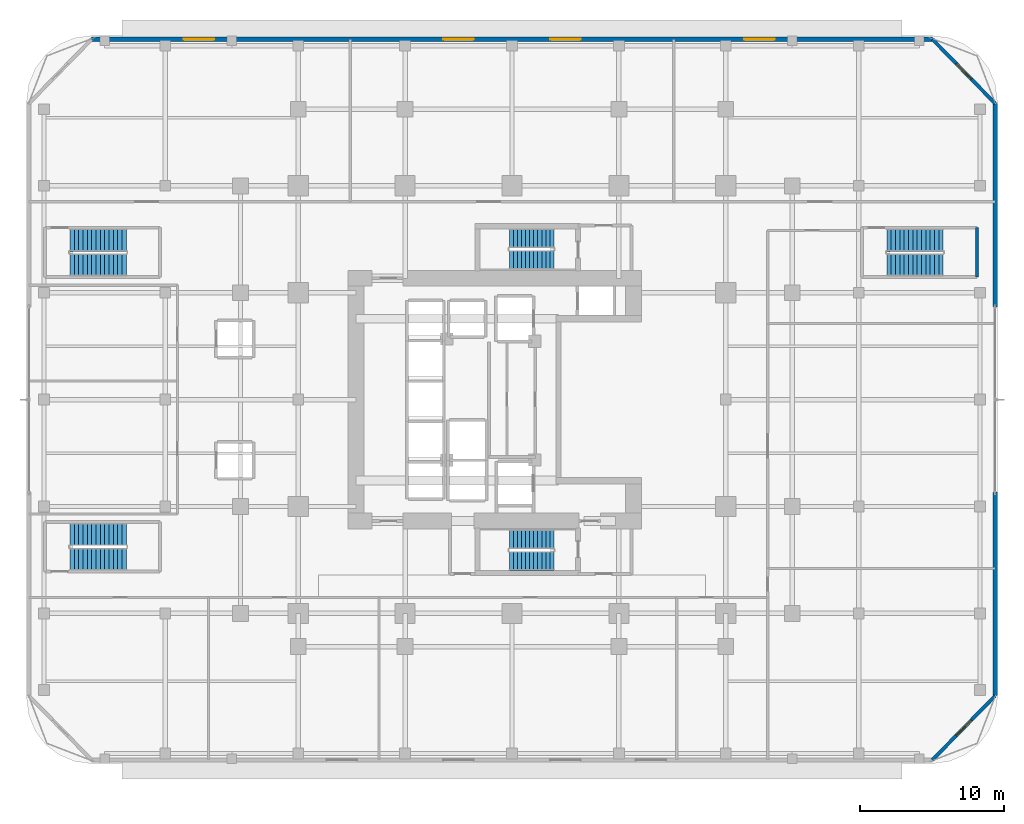
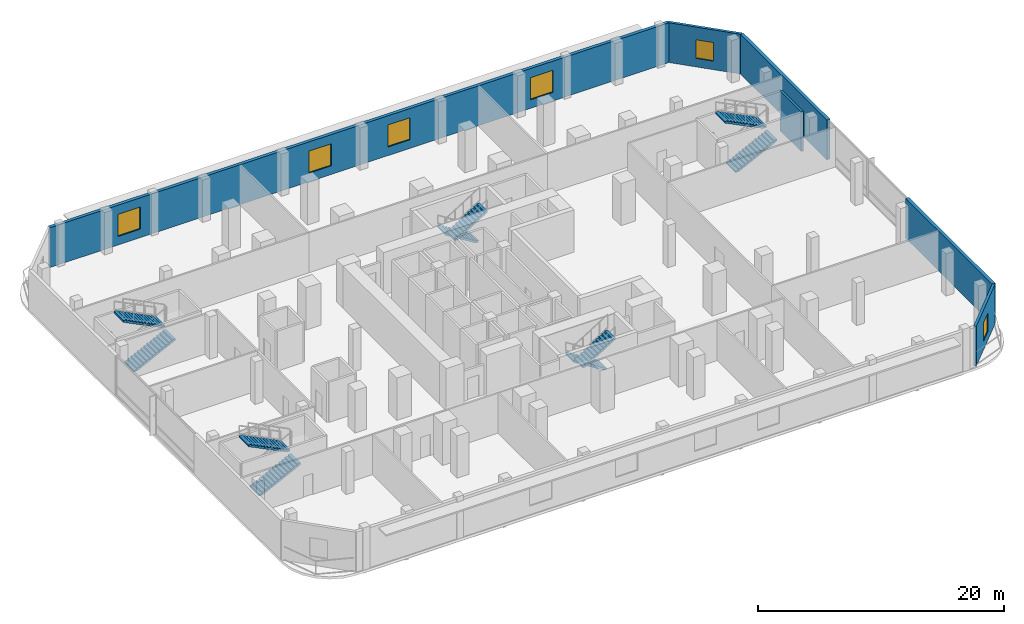
# One storey, part 11 of 19: 10 stair flights, 6 walls, 6 windows, 6 openings, 5 elements without a shape of their own.
"""IFC4 building model written with IfcOpenShell, lengths in metres."""

import ifcopenshell
import ifcopenshell.guid

model = None  # the IFC model being written
_history = None  # IfcOwnerHistory: only IFC2X3 demands one
_inside = {}  # id of a spatial element -> (the spatial element, [elements in it])
_under = {}  # id of a project, library or spatial element -> (it, [spatial elements below it])
_declared = {}  # id of a project -> (the project, [libraries it declares])
_typed = {}  # id of a type object -> (the type object, [elements of that type])
_made_of = {}  # id of a material, layer set ... -> (it, [elements and type objects made of it])


def new_model(schema):
    """Start an empty IFC model of exactly this schema.

    Asked for "IFC4X3", IfcOpenShell would pick the latest addendum, in which some entities
    have other attributes; the version numbers below select the first issue.
    IFC2X3 requires an IfcOwnerHistory on every rooted entity: one is made here for all.
    """
    global model, _history
    if schema == "IFC4X3":
        model = ifcopenshell.file(schema_version=(4, 3, 0, 0))
    else:
        model = ifcopenshell.file(schema=schema)
    _inside.clear()
    _under.clear()
    _declared.clear()
    _typed.clear()
    _made_of.clear()
    _history = None
    if model.schema == "IFC2X3":
        org = make("IfcOrganization", Name="unknown")
        user = make(
            "IfcPersonAndOrganization",
            ThePerson=make("IfcPerson", FamilyName="unknown"),
            TheOrganization=org,
        )
        app = make(
            "IfcApplication",
            ApplicationDeveloper=org,
            Version="unknown",
            ApplicationFullName="unknown",
            ApplicationIdentifier="unknown",
        )
        _history = make(
            "IfcOwnerHistory",
            OwningUser=user,
            OwningApplication=app,
            ChangeAction="ADDED",
            CreationDate=0,
        )
    return model


def make(cls, **values):
    """One entity of the class cls with the attributes given. An attribute that is None is left unset."""
    return model.create_entity(
        cls, **{name: value for name, value in values.items() if value is not None}
    )


def rooted(cls, **values):
    """An entity with a GlobalId (a new one), such as an element, a storey or a relation."""
    return make(cls, GlobalId=ifcopenshell.guid.new(), OwnerHistory=_history, **values)


def si_unit(unit_type, name, prefix=None):
    """IfcSIUnit, for example si_unit("LENGTHUNIT", "METRE", prefix="MILLI")."""
    return make("IfcSIUnit", UnitType=unit_type, Prefix=prefix, Name=name)


def assignment(units):
    """IfcUnitAssignment: the units of a project."""
    return None if units is None else make("IfcUnitAssignment", Units=units)


def point(xyz):
    """IfcCartesianPoint."""
    return None if xyz is None else make("IfcCartesianPoint", Coordinates=xyz)


def direction(xyz):
    """IfcDirection."""
    return None if xyz is None else make("IfcDirection", DirectionRatios=xyz)


def frame(location, z_axis=None, x_axis=None):
    """IfcAxis2Placement3D, a coordinate frame: its origin and axes. An axis left out is left unset."""
    return make(
        "IfcAxis2Placement3D",
        Location=point(location),
        Axis=direction(z_axis),
        RefDirection=direction(x_axis),
    )


def frame_2d(location, x_axis=None):
    """IfcAxis2Placement2D, a coordinate frame in the plane: its origin and x axis."""
    return make(
        "IfcAxis2Placement2D", Location=point(location), RefDirection=direction(x_axis)
    )


def origin():
    """The frame at (0, 0, 0) with its axes left unset."""
    return frame((0.0, 0.0, 0.0))


def place(relative_to, where):
    """IfcLocalPlacement: puts the frame where relative to a parent placement (None: the world)."""
    return make(
        "IfcLocalPlacement", PlacementRelTo=relative_to, RelativePlacement=where
    )


def context(
    kind, dimensions, precision=None, world=None, true_north=None, identifier=None
):
    """IfcGeometricRepresentationContext, for example the 3D "Model" context."""
    return make(
        "IfcGeometricRepresentationContext",
        ContextIdentifier=identifier,
        ContextType=kind,
        CoordinateSpaceDimension=dimensions,
        Precision=precision,
        WorldCoordinateSystem=world,
        TrueNorth=true_north,
    )


def subcontext(parent, identifier, kind, view, scale=None):
    """IfcGeometricRepresentationSubContext, for example "Body" below "Model"."""
    return make(
        "IfcGeometricRepresentationSubContext",
        ContextIdentifier=identifier,
        ContextType=kind,
        ParentContext=parent,
        TargetScale=scale,
        TargetView=view,
    )


def project(units=None, contexts=None):
    """IfcProject with its units and contexts."""
    return rooted(
        "IfcProject",
        Name="project",
        RepresentationContexts=contexts,
        UnitsInContext=assignment(units),
    )


def spatial(cls, under=None, at=None, **own):
    """A site, building, storey or space (cls), placed at a placement, below another one or the project."""
    s = rooted(cls, ObjectPlacement=at, **own)
    if under is not None:
        _under.setdefault(under.id(), (under, []))[1].append(s)
    return s


def polyline(points):
    """IfcPolyline through the points."""
    return make("IfcPolyline", Points=[point(p) for p in points])


def profile(cls, at=None, kind="AREA", **sizes):
    """A parametric profile (cls). Its sizes go by their IFC names, for example OverallWidth=200.0."""
    return make(cls, ProfileType=kind, Position=at, **sizes)


def rectangle(**sizes):
    """IfcRectangleProfileDef."""
    return profile("IfcRectangleProfileDef", **sizes)


def outline(outer, holes=None, kind="AREA"):
    """IfcArbitraryClosedProfileDef: a profile drawn as a closed curve; with holes, ...WithVoids."""
    if holes is None:
        return make("IfcArbitraryClosedProfileDef", ProfileType=kind, OuterCurve=outer)
    return make(
        "IfcArbitraryProfileDefWithVoids",
        ProfileType=kind,
        OuterCurve=outer,
        InnerCurves=holes,
    )


def extrude(swept, where, along, depth):
    """IfcExtrudedAreaSolid: the profile swept, set in the frame where, extruded along a direction by depth."""
    return make(
        "IfcExtrudedAreaSolid",
        SweptArea=swept,
        Position=where,
        ExtrudedDirection=direction(along),
        Depth=depth,
    )


def shape(context_of_items, identifier, shape_type, items):
    """IfcShapeRepresentation: the items that make up one representation, for example the "Body"."""
    return make(
        "IfcShapeRepresentation",
        ContextOfItems=context_of_items,
        RepresentationIdentifier=identifier,
        RepresentationType=shape_type,
        Items=items,
    )


def material(Name=None, Category=None):
    """IfcMaterial."""
    return make("IfcMaterial", Name=Name, Category=Category)


def layer(
    of_material, thickness, ventilated=None, Name=None, Category=None, Priority=None
):
    """IfcMaterialLayer: one layer of a wall or slab, of a material (None: an air gap)."""
    return make(
        "IfcMaterialLayer",
        Material=of_material,
        LayerThickness=thickness,
        IsVentilated=ventilated,
        Name=Name,
        Category=Category,
        Priority=Priority,
    )


def layer_set(layers, Name=None):
    """IfcMaterialLayerSet."""
    return make("IfcMaterialLayerSet", MaterialLayers=layers, LayerSetName=Name)


def made_of(thing, what):
    """Note that an element or type object is made of a material, layer set ...; save() writes the relation."""
    if what is not None:
        _made_of.setdefault(what.id(), (what, []))[1].append(thing)
    return thing


def type_object(cls, material=None, **own):
    """A type object (cls), such as IfcWallType, which elements share."""
    return made_of(rooted(cls, **own), material)


def element(
    cls,
    number,
    at=None,
    inside=None,
    cuts=None,
    type_object=None,
    material=None,
    context=None,
    identifier="Body",
    shape_type=None,
    held_by="IfcProductDefinitionShape",
    body=None,
    shapes=None,
    **own,
):
    """One element of the class cls, such as IfcWall. Its Tag is "e" and its number.

    at: its placement. inside: the storey or other place that contains it. cuts: it is an
    opening in that element (IfcRelVoidsElement). A single representation is given by context,
    identifier, shape_type and body (its items); several are given by shapes. held_by: the class
    of the entity that holds the representations. save() writes the other relations.
    """
    e = rooted(cls, Tag="e%d" % number, ObjectPlacement=at, **own)
    if body is not None:
        shapes = [shape(context, identifier, shape_type, body)]
    if shapes is not None:
        e.Representation = make(held_by, Representations=shapes)
    if inside is not None:
        _inside.setdefault(inside.id(), (inside, []))[1].append(e)
    if cuts is not None:
        rooted(
            "IfcRelVoidsElement", RelatingBuildingElement=cuts, RelatedOpeningElement=e
        )
    if type_object is not None:
        _typed.setdefault(type_object.id(), (type_object, []))[1].append(e)
    return made_of(e, material)


def fill(opening, filler):
    """IfcRelFillsElement: the door or window that sits in an opening."""
    return rooted(
        "IfcRelFillsElement",
        RelatingOpeningElement=opening,
        RelatedBuildingElement=filler,
    )


def aggregate(whole, parts):
    """IfcRelAggregates: a whole, such as a stair, and the parts it consists of."""
    return rooted("IfcRelAggregates", RelatingObject=whole, RelatedObjects=parts)


def save(model, path):
    """Write the relations noted so far, then the file.

    IfcRelAggregates (storeys below a building ...), IfcRelContainedInSpatialStructure (elements
    in a storey), IfcRelDefinesByType, IfcRelAssociatesMaterial and IfcRelDeclares: one each for
    every whole, place, type object, material and project.
    """
    for whole, parts in _under.values():
        aggregate(whole, parts)
    for where, things in _inside.values():
        rooted(
            "IfcRelContainedInSpatialStructure",
            RelatedElements=things,
            RelatingStructure=where,
        )
    for kind, things in _typed.values():
        rooted("IfcRelDefinesByType", RelatedObjects=things, RelatingType=kind)
    for what, things in _made_of.values():
        rooted("IfcRelAssociatesMaterial", RelatedObjects=things, RelatingMaterial=what)
    for by, libraries in _declared.values():
        rooted("IfcRelDeclares", RelatingContext=by, RelatedDefinitions=libraries)
    model.write(path)


model = new_model("IFC4")

# Units and contexts
model_context = context("Model", 3, precision=1e-05, world=origin(), true_north=direction((0.0, 1.0)))
body_context = subcontext(model_context, "Body", "Model", "MODEL_VIEW")
ifc_project = project(units=[si_unit("LENGTHUNIT", "METRE"), si_unit("AREAUNIT", "SQUARE_METRE"), si_unit("VOLUMEUNIT", "CUBIC_METRE"), si_unit("PLANEANGLEUNIT", "RADIAN"), si_unit("MASSUNIT", "GRAM", prefix="KILO")], contexts=[model_context])

# Site, building, storey
site_placement = place(None, origin())
site = spatial("IfcSite", under=ifc_project, at=site_placement, CompositionType="ELEMENT")
building_placement = place(site_placement, origin())
building = spatial("IfcBuilding", under=site, at=building_placement, Name="Khorvyn Point Tower", CompositionType="ELEMENT")
storey_placement = place(building_placement, frame((0.0, 0.0, 17.39990234375)))
storey = spatial("IfcBuildingStorey", under=building, at=storey_placement, Name="L05", CompositionType="ELEMENT", Elevation=17.39990234375)

# Wall, opening, window
ifc_material_1 = material(Name="Pale anodised aluminium rainscreen on steel stud", Category="steel")
ifc_layer_1 = layer(ifc_material_1, 0.239990234375)
ifc_layer_set_1 = layer_set([ifc_layer_1], Name="Anodised Aluminium Insulated Corner Spandrel Wall 240")
wall_type_1 = type_object("IfcWallType", Name="Anodised Aluminium Insulated Corner Spandrel Wall 240", PredefinedType="SOLIDWALL", material=ifc_layer_set_1)
wall_1_placement = place(storey_placement, frame((29.10009765625, 24.949951171875, 0.0), z_axis=(0.0, 0.0, 1.0), x_axis=(0.69901822973, -0.715103848756, 0.0)))
wall_1 = element("IfcWall", 1, at=wall_1_placement, inside=storey, type_object=wall_type_1, Name="L05 Rounded Corner Wall NE", PredefinedType="SOLIDWALL", context=body_context, shape_type="SweptSolid", body=[
    extrude(rectangle(XDim=6.222900390625, YDim=0.239990234375, at=frame_2d((3.111328125, 0.0))), origin(), (0.0, 0.0, 1.0), 3.960205078125),
])
opening_1_placement = place(wall_1_placement, frame((2.361572265625, 0.0, 0.85009765625)))
opening_1 = element("IfcOpeningElement", 2, at=opening_1_placement, cuts=wall_1, Name="Opening WN-1518", PredefinedType="OPENING", context=body_context, shape_type="SweptSolid", body=[
    extrude(rectangle(XDim=1.5, YDim=1.85009765625, at=frame_2d((0.75, 0.925048828125))), frame((0.0, 0.1298828125, 0.0), z_axis=(0.0, -1.0, 0.0), x_axis=(1.0, 0.0, 0.0)), (0.0, 0.0, 1.0), 0.260009765625),
])
ifc_material_2 = material(Name="Anodised aluminium 6063-T6 and laminated Low-E glass", Category="aluminium")
window_type_1 = type_object("IfcWindowType", Name="Anodised Aluminium Rounded-Corner Panoramic Window 1500x1850", PartitioningType="SINGLE_PANEL", PredefinedType="WINDOW", material=ifc_material_2)
window_1_placement = place(opening_1_placement, origin())
window_1 = element("IfcWindow", 3, at=window_1_placement, inside=storey, type_object=window_type_1, Name="L05 Corner Window NE", OverallHeight=1.85009765625, OverallWidth=1.5, PartitioningType="SINGLE_PANEL", PredefinedType="WINDOW", context=body_context, shape_type="SweptSolid", body=[
    extrude(rectangle(XDim=1.5, YDim=1.85009765625, at=frame_2d((0.75, 0.925048828125))), frame((0.0, 0.030029296875, 0.0), z_axis=(0.0, -1.0, 0.0), x_axis=(1.0, 0.0, 0.0)), (0.0, 0.0, 1.0), 0.06005859375),
])
fill(opening_1, window_1)

wall_2_placement = place(storey_placement, frame((33.449951171875, -20.5, 0.0), z_axis=(0.0, 0.0, 1.0), x_axis=(-0.69901822973, -0.715103848756, 0.0)))
wall_2 = element("IfcWall", 4, at=wall_2_placement, inside=storey, type_object=wall_type_1, Name="L05 Rounded Corner Wall SE", PredefinedType="SOLIDWALL", context=body_context, shape_type="SweptSolid", body=[
    extrude(rectangle(XDim=6.222900390625, YDim=0.239990234375, at=frame_2d((3.111328125, 0.0))), origin(), (0.0, 0.0, 1.0), 3.960205078125),
])
opening_2_placement = place(wall_2_placement, frame((2.361572265625, 0.0, 0.85009765625)))
opening_2 = element("IfcOpeningElement", 5, at=opening_2_placement, cuts=wall_2, Name="Opening WN-1518", PredefinedType="OPENING", context=body_context, shape_type="SweptSolid", body=[
    extrude(rectangle(XDim=1.5, YDim=1.85009765625, at=frame_2d((0.75, 0.925048828125))), frame((0.0, 0.1298828125, 0.0), z_axis=(0.0, -1.0, 0.0), x_axis=(1.0, 0.0, 0.0)), (0.0, 0.0, 1.0), 0.260009765625),
])
window_2_placement = place(opening_2_placement, origin())
window_2 = element("IfcWindow", 6, at=window_2_placement, inside=storey, type_object=window_type_1, Name="L05 Corner Window SE", OverallHeight=1.85009765625, OverallWidth=1.5, PartitioningType="SINGLE_PANEL", PredefinedType="WINDOW", context=body_context, shape_type="SweptSolid", body=[
    extrude(rectangle(XDim=1.5, YDim=1.85009765625, at=frame_2d((0.75, 0.925048828125))), frame((0.0, 0.030029296875, 0.0), z_axis=(0.0, -1.0, 0.0), x_axis=(1.0, 0.0, 0.0)), (0.0, 0.0, 1.0), 0.06005859375),
])
fill(opening_2, window_2)

# Wall
ifc_material_3 = material(Name="Concrete C40/50", Category="concrete")
ifc_layer_2 = layer(ifc_material_3, 0.199951171875)
ifc_layer_set_2 = layer_set([ifc_layer_2], Name="Concrete C40/50 Structural Hoistway and Stair Shaft Wall 200")
wall_type_2 = type_object("IfcWallType", Name="Concrete C40/50 Structural Hoistway and Stair Shaft Wall 200", PredefinedType="SHEAR", material=ifc_layer_set_2)
wall_3_placement = place(storey_placement, frame((32.179931640625, 11.89990234375, 0.0), z_axis=(0.0, 0.0, 1.0), x_axis=(0.0, -1.0, 0.0)))
element("IfcWall", 7, at=wall_3_placement, inside=storey, type_object=wall_type_2, Name="Wall", PredefinedType="SHEAR", context=body_context, shape_type="SweptSolid", body=[
    extrude(rectangle(XDim=3.419921875, YDim=0.199951171875, at=frame_2d((1.7099609375, 0.0))), origin(), (0.0, 0.0, 1.0), 3.960205078125),
])

# Wall, openings, windows
ifc_material_4 = material(Name="Precast concrete C35/45", Category="concrete")
ifc_layer_3 = layer(ifc_material_4, 0.300048828125)
ifc_layer_set_3 = layer_set([ifc_layer_3], Name="Precast Concrete C35/45 Insulated Podium Facade Wall 300")
wall_type_3 = type_object("IfcWallType", Name="Precast Concrete C35/45 Insulated Podium Facade Wall 300", PredefinedType="SOLIDWALL", material=ifc_layer_set_3)
wall_4_placement = place(storey_placement, frame((-29.10009765625, 24.949951171875, 0.0), z_axis=(0.0, 0.0, 1.0), x_axis=(1.0, 0.0, 0.0)))
wall_4 = element("IfcWall", 8, at=wall_4_placement, inside=storey, type_object=wall_type_3, Name="L05 North Podium Facade Wall", PredefinedType="SOLIDWALL", context=body_context, shape_type="SweptSolid", body=[
    extrude(rectangle(XDim=58.2001953125, YDim=0.300048828125, at=frame_2d((29.10009765625, 0.0))), origin(), (0.0, 0.0, 1.0), 3.960205078125),
])
opening_3_placement = place(wall_4_placement, frame((6.375, 0.0, 0.85009765625)))
opening_3 = element("IfcOpeningElement", 9, at=opening_3_placement, cuts=wall_4, Name="Opening WN-2122", PredefinedType="OPENING", context=body_context, shape_type="SweptSolid", body=[
    extrude(rectangle(XDim=2.10009765625, YDim=2.199951171875, at=frame_2d((1.050048828125, 1.10009765625))), frame((0.0, 0.159912109375, 0.0), z_axis=(0.0, -1.0, 0.0), x_axis=(1.0, 0.0, 0.0)), (0.0, 0.0, 1.0), 0.320068359375),
])
opening_4_placement = place(wall_4_placement, frame((24.35009765625, 0.0, 0.85009765625)))
opening_4 = element("IfcOpeningElement", 10, at=opening_4_placement, cuts=wall_4, Name="Opening WN-2122", PredefinedType="OPENING", context=body_context, shape_type="SweptSolid", body=[
    extrude(rectangle(XDim=2.10009765625, YDim=2.199951171875, at=frame_2d((1.050048828125, 1.10009765625))), frame((0.0, 0.159912109375, 0.0), z_axis=(0.0, -1.0, 0.0), x_axis=(1.0, 0.0, 0.0)), (0.0, 0.0, 1.0), 0.320068359375),
])
opening_5_placement = place(wall_4_placement, frame((31.75, 0.0, 0.85009765625)))
opening_5 = element("IfcOpeningElement", 11, at=opening_5_placement, cuts=wall_4, Name="Opening WN-2122", PredefinedType="OPENING", context=body_context, shape_type="SweptSolid", body=[
    extrude(rectangle(XDim=2.10009765625, YDim=2.199951171875, at=frame_2d((1.050048828125, 1.10009765625))), frame((0.0, 0.159912109375, 0.0), z_axis=(0.0, -1.0, 0.0), x_axis=(1.0, 0.0, 0.0)), (0.0, 0.0, 1.0), 0.320068359375),
])
opening_6_placement = place(wall_4_placement, frame((45.175048828125, 0.0, 0.85009765625)))
opening_6 = element("IfcOpeningElement", 12, at=opening_6_placement, cuts=wall_4, Name="Opening WN-2122", PredefinedType="OPENING", context=body_context, shape_type="SweptSolid", body=[
    extrude(rectangle(XDim=2.10009765625, YDim=2.199951171875, at=frame_2d((1.050048828125, 1.10009765625))), frame((0.0, 0.159912109375, 0.0), z_axis=(0.0, -1.0, 0.0), x_axis=(1.0, 0.0, 0.0)), (0.0, 0.0, 1.0), 0.320068359375),
])
window_type_2 = type_object("IfcWindowType", Name="Anodised Aluminium School Classroom Daylight Window 2100x2200", PartitioningType="TRIPLE_PANEL_HORIZONTAL", PredefinedType="WINDOW", material=ifc_material_2)
window_3_placement = place(opening_3_placement, origin())
window_3 = element("IfcWindow", 13, at=window_3_placement, inside=storey, type_object=window_type_2, Name="L05 North Classroom Daylight Window N1", OverallHeight=2.199951171875, OverallWidth=2.10009765625, PartitioningType="SINGLE_PANEL", PredefinedType="WINDOW", context=body_context, shape_type="SweptSolid", body=[
    extrude(rectangle(XDim=2.10009765625, YDim=2.199951171875, at=frame_2d((1.050048828125, 1.10009765625))), frame((0.0, 0.030029296875, 0.0), z_axis=(0.0, -1.0, 0.0), x_axis=(1.0, 0.0, 0.0)), (0.0, 0.0, 1.0), 0.06005859375),
])
fill(opening_3, window_3)
window_4_placement = place(opening_4_placement, origin())
window_4 = element("IfcWindow", 14, at=window_4_placement, inside=storey, type_object=window_type_2, Name="L05 North Classroom Daylight Window N2", OverallHeight=2.199951171875, OverallWidth=2.10009765625, PartitioningType="SINGLE_PANEL", PredefinedType="WINDOW", context=body_context, shape_type="SweptSolid", body=[
    extrude(rectangle(XDim=2.10009765625, YDim=2.199951171875, at=frame_2d((1.050048828125, 1.10009765625))), frame((0.0, 0.030029296875, 0.0), z_axis=(0.0, -1.0, 0.0), x_axis=(1.0, 0.0, 0.0)), (0.0, 0.0, 1.0), 0.06005859375),
])
fill(opening_4, window_4)
window_5_placement = place(opening_5_placement, origin())
window_5 = element("IfcWindow", 15, at=window_5_placement, inside=storey, type_object=window_type_2, Name="L05 North Classroom Daylight Window N3", OverallHeight=2.199951171875, OverallWidth=2.10009765625, PartitioningType="SINGLE_PANEL", PredefinedType="WINDOW", context=body_context, shape_type="SweptSolid", body=[
    extrude(rectangle(XDim=2.10009765625, YDim=2.199951171875, at=frame_2d((1.050048828125, 1.10009765625))), frame((0.0, 0.030029296875, 0.0), z_axis=(0.0, -1.0, 0.0), x_axis=(1.0, 0.0, 0.0)), (0.0, 0.0, 1.0), 0.06005859375),
])
fill(opening_5, window_5)
window_6_placement = place(opening_6_placement, origin())
window_6 = element("IfcWindow", 16, at=window_6_placement, inside=storey, type_object=window_type_2, Name="L05 North Classroom Daylight Window N4", OverallHeight=2.199951171875, OverallWidth=2.10009765625, PartitioningType="SINGLE_PANEL", PredefinedType="WINDOW", context=body_context, shape_type="SweptSolid", body=[
    extrude(rectangle(XDim=2.10009765625, YDim=2.199951171875, at=frame_2d((1.050048828125, 1.10009765625))), frame((0.0, 0.030029296875, 0.0), z_axis=(0.0, -1.0, 0.0), x_axis=(1.0, 0.0, 0.0)), (0.0, 0.0, 1.0), 0.06005859375),
])
fill(opening_6, window_6)

# Walls
for number, where, z_axis, x_axis, name in (
    (17, (33.449951171875, -20.5, 0.0), (0.0, 0.0, 1.0), (0.0, 1.0, 0.0), "Wall"),
    (18, (33.449951171875, 6.409912109375, 0.0), (0.0, 0.0, 1.0), (0.0, 1.0, 0.0), "Wall"),
):
    element("IfcWall", number, at=place(storey_placement, frame(where, z_axis=z_axis, x_axis=x_axis)), inside=storey, type_object=wall_type_3, Name=name, PredefinedType="SOLIDWALL", context=body_context, shape_type="SweptSolid", body=[
        extrude(rectangle(XDim=14.090087890625, YDim=0.300048828125, at=frame_2d((7.044921875, 0.0))), origin(), (0.0, 0.0, 1.0), 3.960205078125),
    ])

# Stair, stair flights
stair_type_1 = type_object("IfcStairType", Name="School Podium Concrete C40/50 Wide Exit Stair", PredefinedType="HALF_TURN_STAIR", material=ifc_material_3)
stair_1_placement = place(storey_placement, origin())
stair_1 = element("IfcStair", 19, at=stair_1_placement, inside=storey, type_object=stair_type_1, Name="L05 School Podium Smokeproof Stair Southwest", PredefinedType="HALF_TURN_STAIR")
stair_flight_type_1 = type_object("IfcStairFlightType", Name="School Podium Concrete C40/50 Gentle-Riser Flight", PredefinedType="STRAIGHT", material=ifc_material_3)
stair_flight_1_placement = place(storey_placement, frame((-30.60009765625, -11.044921875, 0.0), z_axis=(0.0, 0.0, 1.0), x_axis=(1.0, 0.0, 0.0)))
stair_flight_1 = element("IfcStairFlight", 20, at=stair_flight_1_placement, type_object=stair_flight_type_1, Name="ST-S1 flight 1", NumberOfRisers=14, NumberOfTreads=13, PredefinedType="STRAIGHT", RiserHeight=0.15, TreadLength=0.3, context=body_context, shape_type="SweptSolid", body=[
    extrude(outline(polyline([(0.0, 0.0), (0.0, 0.14990234375), (0.300048828125, 0.14990234375), (0.300048828125, 0.300048828125), (0.60009765625, 0.300048828125), (0.60009765625, 0.449951171875), (0.89990234375, 0.449951171875), (0.89990234375, 0.60009765625), (1.199951171875, 0.60009765625), (1.199951171875, 0.75), (1.5, 0.75), (1.5, 0.89990234375), (1.800048828125, 0.89990234375), (1.800048828125, 1.050048828125), (2.10009765625, 1.050048828125), (2.10009765625, 1.199951171875), (2.39990234375, 1.199951171875), (2.39990234375, 1.35009765625), (2.699951171875, 1.35009765625), (2.699951171875, 1.5), (3.0, 1.5), (3.0, 1.64990234375), (3.300048828125, 1.64990234375), (3.300048828125, 1.800048828125), (3.60009765625, 1.800048828125), (3.60009765625, 1.949951171875), (3.89990234375, 1.949951171875), (3.89990234375, 2.10009765625), (3.89990234375, 1.782470703125), (0.335205078125, 0.0), (0.0, 0.0)])), frame((0.0, 0.77490234375, 0.0), z_axis=(0.0, -1.0, 0.0), x_axis=(1.0, 0.0, 0.0)), (0.0, 0.0, 1.0), 1.550048828125),
])
stair_flight_2_placement = place(storey_placement, frame((-26.699951171875, -9.3349609375, 2.10009765625), z_axis=(0.0, 0.0, 1.0), x_axis=(-1.0, 0.0, 0.0)))
stair_flight_2 = element("IfcStairFlight", 21, at=stair_flight_2_placement, type_object=stair_flight_type_1, Name="ST-S1 flight 2", NumberOfRisers=14, NumberOfTreads=13, PredefinedType="STRAIGHT", RiserHeight=0.15, TreadLength=0.3, context=body_context, shape_type="SweptSolid", body=[
    extrude(outline(polyline([(0.0, 0.0), (0.0, 0.14990234375), (0.300048828125, 0.14990234375), (0.300048828125, 0.300048828125), (0.60009765625, 0.300048828125), (0.60009765625, 0.449951171875), (0.89990234375, 0.449951171875), (0.89990234375, 0.60009765625), (1.199951171875, 0.60009765625), (1.199951171875, 0.75), (1.5, 0.75), (1.5, 0.89990234375), (1.800048828125, 0.89990234375), (1.800048828125, 1.050048828125), (2.10009765625, 1.050048828125), (2.10009765625, 1.199951171875), (2.39990234375, 1.199951171875), (2.39990234375, 1.35009765625), (2.699951171875, 1.35009765625), (2.699951171875, 1.5), (3.0, 1.5), (3.0, 1.64990234375), (3.300048828125, 1.64990234375), (3.300048828125, 1.800048828125), (3.60009765625, 1.800048828125), (3.60009765625, 1.949951171875), (3.89990234375, 1.949951171875), (3.89990234375, 2.10009765625), (3.89990234375, 1.782470703125), (0.335205078125, 0.0), (0.0, 0.0)])), frame((0.0, 0.77490234375, 0.0), z_axis=(0.0, -1.0, 0.0), x_axis=(1.0, 0.0, 0.0)), (0.0, 0.0, 1.0), 1.550048828125),
])
aggregate(stair_1, [stair_flight_1, stair_flight_2])

stair_2_placement = place(storey_placement, origin())
stair_2 = element("IfcStair", 22, at=stair_2_placement, inside=storey, type_object=stair_type_1, Name="L05 School Podium Smokeproof Stair Northwest", PredefinedType="HALF_TURN_STAIR")
stair_flight_3_placement = place(storey_placement, frame((-30.60009765625, 9.3349609375, 0.0), z_axis=(0.0, 0.0, 1.0), x_axis=(1.0, 0.0, 0.0)))
stair_flight_3 = element("IfcStairFlight", 23, at=stair_flight_3_placement, type_object=stair_flight_type_1, Name="ST-S2 flight 1", NumberOfRisers=14, NumberOfTreads=13, PredefinedType="STRAIGHT", RiserHeight=0.15, TreadLength=0.3, context=body_context, shape_type="SweptSolid", body=[
    extrude(outline(polyline([(0.0, 0.0), (0.0, 0.14990234375), (0.300048828125, 0.14990234375), (0.300048828125, 0.300048828125), (0.60009765625, 0.300048828125), (0.60009765625, 0.449951171875), (0.89990234375, 0.449951171875), (0.89990234375, 0.60009765625), (1.199951171875, 0.60009765625), (1.199951171875, 0.75), (1.5, 0.75), (1.5, 0.89990234375), (1.800048828125, 0.89990234375), (1.800048828125, 1.050048828125), (2.10009765625, 1.050048828125), (2.10009765625, 1.199951171875), (2.39990234375, 1.199951171875), (2.39990234375, 1.35009765625), (2.699951171875, 1.35009765625), (2.699951171875, 1.5), (3.0, 1.5), (3.0, 1.64990234375), (3.300048828125, 1.64990234375), (3.300048828125, 1.800048828125), (3.60009765625, 1.800048828125), (3.60009765625, 1.949951171875), (3.89990234375, 1.949951171875), (3.89990234375, 2.10009765625), (3.89990234375, 1.782470703125), (0.335205078125, 0.0), (0.0, 0.0)])), frame((0.0, 0.77490234375, 0.0), z_axis=(0.0, -1.0, 0.0), x_axis=(1.0, 0.0, 0.0)), (0.0, 0.0, 1.0), 1.550048828125),
])
stair_flight_4_placement = place(storey_placement, frame((-26.699951171875, 11.044921875, 2.10009765625), z_axis=(0.0, 0.0, 1.0), x_axis=(-1.0, 0.0, 0.0)))
stair_flight_4 = element("IfcStairFlight", 24, at=stair_flight_4_placement, type_object=stair_flight_type_1, Name="ST-S2 flight 2", NumberOfRisers=14, NumberOfTreads=13, PredefinedType="STRAIGHT", RiserHeight=0.15, TreadLength=0.3, context=body_context, shape_type="SweptSolid", body=[
    extrude(outline(polyline([(0.0, 0.0), (0.0, 0.14990234375), (0.300048828125, 0.14990234375), (0.300048828125, 0.300048828125), (0.60009765625, 0.300048828125), (0.60009765625, 0.449951171875), (0.89990234375, 0.449951171875), (0.89990234375, 0.60009765625), (1.199951171875, 0.60009765625), (1.199951171875, 0.75), (1.5, 0.75), (1.5, 0.89990234375), (1.800048828125, 0.89990234375), (1.800048828125, 1.050048828125), (2.10009765625, 1.050048828125), (2.10009765625, 1.199951171875), (2.39990234375, 1.199951171875), (2.39990234375, 1.35009765625), (2.699951171875, 1.35009765625), (2.699951171875, 1.5), (3.0, 1.5), (3.0, 1.64990234375), (3.300048828125, 1.64990234375), (3.300048828125, 1.800048828125), (3.60009765625, 1.800048828125), (3.60009765625, 1.949951171875), (3.89990234375, 1.949951171875), (3.89990234375, 2.10009765625), (3.89990234375, 1.782470703125), (0.335205078125, 0.0), (0.0, 0.0)])), frame((0.0, 0.77490234375, 0.0), z_axis=(0.0, -1.0, 0.0), x_axis=(1.0, 0.0, 0.0)), (0.0, 0.0, 1.0), 1.550048828125),
])
aggregate(stair_2, [stair_flight_3, stair_flight_4])

stair_3_placement = place(storey_placement, origin())
stair_3 = element("IfcStair", 25, at=stair_3_placement, inside=storey, type_object=stair_type_1, Name="L05 School Podium Smokeproof Stair Northeast", PredefinedType="HALF_TURN_STAIR")
stair_flight_5_placement = place(storey_placement, frame((25.949951171875, 9.3349609375, 0.0), z_axis=(0.0, 0.0, 1.0), x_axis=(1.0, 0.0, 0.0)))
stair_flight_5 = element("IfcStairFlight", 26, at=stair_flight_5_placement, type_object=stair_flight_type_1, Name="ST-S3 flight 1", NumberOfRisers=14, NumberOfTreads=13, PredefinedType="STRAIGHT", RiserHeight=0.15, TreadLength=0.3, context=body_context, shape_type="SweptSolid", body=[
    extrude(outline(polyline([(0.0, 0.0), (0.0, 0.14990234375), (0.300048828125, 0.14990234375), (0.300048828125, 0.300048828125), (0.60009765625, 0.300048828125), (0.60009765625, 0.449951171875), (0.89990234375, 0.449951171875), (0.89990234375, 0.60009765625), (1.199951171875, 0.60009765625), (1.199951171875, 0.75), (1.5, 0.75), (1.5, 0.89990234375), (1.800048828125, 0.89990234375), (1.800048828125, 1.050048828125), (2.10009765625, 1.050048828125), (2.10009765625, 1.199951171875), (2.39990234375, 1.199951171875), (2.39990234375, 1.35009765625), (2.699951171875, 1.35009765625), (2.699951171875, 1.5), (3.0, 1.5), (3.0, 1.64990234375), (3.300048828125, 1.64990234375), (3.300048828125, 1.800048828125), (3.60009765625, 1.800048828125), (3.60009765625, 1.949951171875), (3.89990234375, 1.949951171875), (3.89990234375, 2.10009765625), (3.89990234375, 1.782470703125), (0.335205078125, 0.0), (0.0, 0.0)])), frame((0.0, 0.77490234375, 0.0), z_axis=(0.0, -1.0, 0.0), x_axis=(1.0, 0.0, 0.0)), (0.0, 0.0, 1.0), 1.550048828125),
])
stair_flight_6_placement = place(storey_placement, frame((29.85009765625, 11.044921875, 2.10009765625), z_axis=(0.0, 0.0, 1.0), x_axis=(-1.0, 0.0, 0.0)))
stair_flight_6 = element("IfcStairFlight", 27, at=stair_flight_6_placement, type_object=stair_flight_type_1, Name="ST-S3 flight 2", NumberOfRisers=14, NumberOfTreads=13, PredefinedType="STRAIGHT", RiserHeight=0.15, TreadLength=0.3, context=body_context, shape_type="SweptSolid", body=[
    extrude(outline(polyline([(0.0, 0.0), (0.0, 0.14990234375), (0.300048828125, 0.14990234375), (0.300048828125, 0.300048828125), (0.60009765625, 0.300048828125), (0.60009765625, 0.449951171875), (0.89990234375, 0.449951171875), (0.89990234375, 0.60009765625), (1.199951171875, 0.60009765625), (1.199951171875, 0.75), (1.5, 0.75), (1.5, 0.89990234375), (1.800048828125, 0.89990234375), (1.800048828125, 1.050048828125), (2.10009765625, 1.050048828125), (2.10009765625, 1.199951171875), (2.39990234375, 1.199951171875), (2.39990234375, 1.35009765625), (2.699951171875, 1.35009765625), (2.699951171875, 1.5), (3.0, 1.5), (3.0, 1.64990234375), (3.300048828125, 1.64990234375), (3.300048828125, 1.800048828125), (3.60009765625, 1.800048828125), (3.60009765625, 1.949951171875), (3.89990234375, 1.949951171875), (3.89990234375, 2.10009765625), (3.89990234375, 1.782470703125), (0.335205078125, 0.0), (0.0, 0.0)])), frame((0.0, 0.77490234375, 0.0), z_axis=(0.0, -1.0, 0.0), x_axis=(1.0, 0.0, 0.0)), (0.0, 0.0, 1.0), 1.550048828125),
])
aggregate(stair_3, [stair_flight_5, stair_flight_6])

stair_type_2 = type_object("IfcStairType", Name="Tower Concrete C40/50 Dogleg Exit Stair", PredefinedType="HALF_TURN_STAIR", material=ifc_material_3)
stair_4_placement = place(storey_placement, origin())
stair_4 = element("IfcStair", 28, at=stair_4_placement, inside=storey, type_object=stair_type_2, Name="L05 Tower Smokeproof Exit Stair South", PredefinedType="HALF_TURN_STAIR")
stair_flight_type_2 = type_object("IfcStairFlightType", Name="Tower Concrete C40/50 Stair Flight", PredefinedType="STRAIGHT", material=ifc_material_3)
stair_flight_7_placement = place(storey_placement, frame((2.89990234375, -9.679931640625, 0.0), z_axis=(0.0, 0.0, 1.0), x_axis=(-1.0, 0.0, 0.0)))
stair_flight_7 = element("IfcStairFlight", 29, at=stair_flight_7_placement, type_object=stair_flight_type_2, Name="ST-01 flight 1", NumberOfRisers=12, NumberOfTreads=11, PredefinedType="STRAIGHT", RiserHeight=0.175, TreadLength=0.28, context=body_context, shape_type="SweptSolid", body=[
    extrude(outline(polyline([(0.0, 0.0), (0.0, 0.175048828125), (0.280029296875, 0.175048828125), (0.280029296875, 0.35009765625), (0.56005859375, 0.35009765625), (0.56005859375, 0.52490234375), (0.840087890625, 0.52490234375), (0.840087890625, 0.699951171875), (1.1201171875, 0.699951171875), (1.1201171875, 0.875), (1.39990234375, 0.875), (1.39990234375, 1.050048828125), (1.679931640625, 1.050048828125), (1.679931640625, 1.22509765625), (1.9599609375, 1.22509765625), (1.9599609375, 1.39990234375), (2.239990234375, 1.39990234375), (2.239990234375, 1.574951171875), (2.52001953125, 1.574951171875), (2.52001953125, 1.75), (2.800048828125, 1.75), (2.800048828125, 1.925048828125), (3.080078125, 1.925048828125), (3.080078125, 2.10009765625), (3.080078125, 1.748291015625), (0.28271484375, 0.0), (0.0, 0.0)])), frame((0.0, 0.66015625, 0.0), z_axis=(0.0, -1.0, 0.0), x_axis=(1.0, 0.0, 0.0)), (0.0, 0.0, 1.0), 1.320068359375),
])
stair_flight_8_placement = place(storey_placement, frame((-0.179931640625, -11.159912109375, 2.10009765625), z_axis=(0.0, 0.0, 1.0), x_axis=(1.0, 0.0, 0.0)))
stair_flight_8 = element("IfcStairFlight", 30, at=stair_flight_8_placement, type_object=stair_flight_type_2, Name="ST-01 flight 2", NumberOfRisers=12, NumberOfTreads=11, PredefinedType="STRAIGHT", RiserHeight=0.175, TreadLength=0.28, context=body_context, shape_type="SweptSolid", body=[
    extrude(outline(polyline([(0.0, 0.0), (0.0, 0.175048828125), (0.280029296875, 0.175048828125), (0.280029296875, 0.35009765625), (0.56005859375, 0.35009765625), (0.56005859375, 0.52490234375), (0.840087890625, 0.52490234375), (0.840087890625, 0.699951171875), (1.1201171875, 0.699951171875), (1.1201171875, 0.875), (1.39990234375, 0.875), (1.39990234375, 1.050048828125), (1.679931640625, 1.050048828125), (1.679931640625, 1.22509765625), (1.9599609375, 1.22509765625), (1.9599609375, 1.39990234375), (2.239990234375, 1.39990234375), (2.239990234375, 1.574951171875), (2.52001953125, 1.574951171875), (2.52001953125, 1.75), (2.800048828125, 1.75), (2.800048828125, 1.925048828125), (3.080078125, 1.925048828125), (3.080078125, 2.10009765625), (3.080078125, 1.748291015625), (0.28271484375, 0.0), (0.0, 0.0)])), frame((0.0, 0.66015625, 0.0), z_axis=(0.0, -1.0, 0.0), x_axis=(1.0, 0.0, 0.0)), (0.0, 0.0, 1.0), 1.320068359375),
])
aggregate(stair_4, [stair_flight_7, stair_flight_8])

stair_5_placement = place(storey_placement, origin())
stair_5 = element("IfcStair", 31, at=stair_5_placement, inside=storey, type_object=stair_type_2, Name="L05 Tower Smokeproof Exit Stair North", PredefinedType="HALF_TURN_STAIR")
stair_flight_9_placement = place(storey_placement, frame((2.89990234375, 11.159912109375, 0.0), z_axis=(0.0, 0.0, 1.0), x_axis=(-1.0, 0.0, 0.0)))
stair_flight_9 = element("IfcStairFlight", 32, at=stair_flight_9_placement, type_object=stair_flight_type_2, Name="ST-02 flight 1", NumberOfRisers=12, NumberOfTreads=11, PredefinedType="STRAIGHT", RiserHeight=0.175, TreadLength=0.28, context=body_context, shape_type="SweptSolid", body=[
    extrude(outline(polyline([(0.0, 0.0), (0.0, 0.175048828125), (0.280029296875, 0.175048828125), (0.280029296875, 0.35009765625), (0.56005859375, 0.35009765625), (0.56005859375, 0.52490234375), (0.840087890625, 0.52490234375), (0.840087890625, 0.699951171875), (1.1201171875, 0.699951171875), (1.1201171875, 0.875), (1.39990234375, 0.875), (1.39990234375, 1.050048828125), (1.679931640625, 1.050048828125), (1.679931640625, 1.22509765625), (1.9599609375, 1.22509765625), (1.9599609375, 1.39990234375), (2.239990234375, 1.39990234375), (2.239990234375, 1.574951171875), (2.52001953125, 1.574951171875), (2.52001953125, 1.75), (2.800048828125, 1.75), (2.800048828125, 1.925048828125), (3.080078125, 1.925048828125), (3.080078125, 2.10009765625), (3.080078125, 1.748291015625), (0.28271484375, 0.0), (0.0, 0.0)])), frame((0.0, 0.66015625, 0.0), z_axis=(0.0, -1.0, 0.0), x_axis=(1.0, 0.0, 0.0)), (0.0, 0.0, 1.0), 1.320068359375),
])
stair_flight_10_placement = place(storey_placement, frame((-0.179931640625, 9.679931640625, 2.10009765625), z_axis=(0.0, 0.0, 1.0), x_axis=(1.0, 0.0, 0.0)))
stair_flight_10 = element("IfcStairFlight", 33, at=stair_flight_10_placement, type_object=stair_flight_type_2, Name="ST-02 flight 2", NumberOfRisers=12, NumberOfTreads=11, PredefinedType="STRAIGHT", RiserHeight=0.175, TreadLength=0.28, context=body_context, shape_type="SweptSolid", body=[
    extrude(outline(polyline([(0.0, 0.0), (0.0, 0.175048828125), (0.280029296875, 0.175048828125), (0.280029296875, 0.35009765625), (0.56005859375, 0.35009765625), (0.56005859375, 0.52490234375), (0.840087890625, 0.52490234375), (0.840087890625, 0.699951171875), (1.1201171875, 0.699951171875), (1.1201171875, 0.875), (1.39990234375, 0.875), (1.39990234375, 1.050048828125), (1.679931640625, 1.050048828125), (1.679931640625, 1.22509765625), (1.9599609375, 1.22509765625), (1.9599609375, 1.39990234375), (2.239990234375, 1.39990234375), (2.239990234375, 1.574951171875), (2.52001953125, 1.574951171875), (2.52001953125, 1.75), (2.800048828125, 1.75), (2.800048828125, 1.925048828125), (3.080078125, 1.925048828125), (3.080078125, 2.10009765625), (3.080078125, 1.748291015625), (0.28271484375, 0.0), (0.0, 0.0)])), frame((0.0, 0.66015625, 0.0), z_axis=(0.0, -1.0, 0.0), x_axis=(1.0, 0.0, 0.0)), (0.0, 0.0, 1.0), 1.320068359375),
])
aggregate(stair_5, [stair_flight_9, stair_flight_10])

save(model, "model.ifc")
